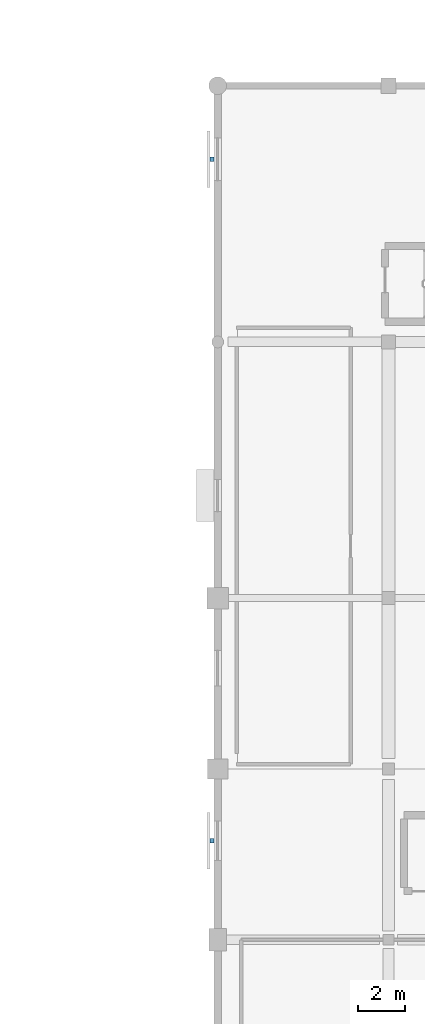
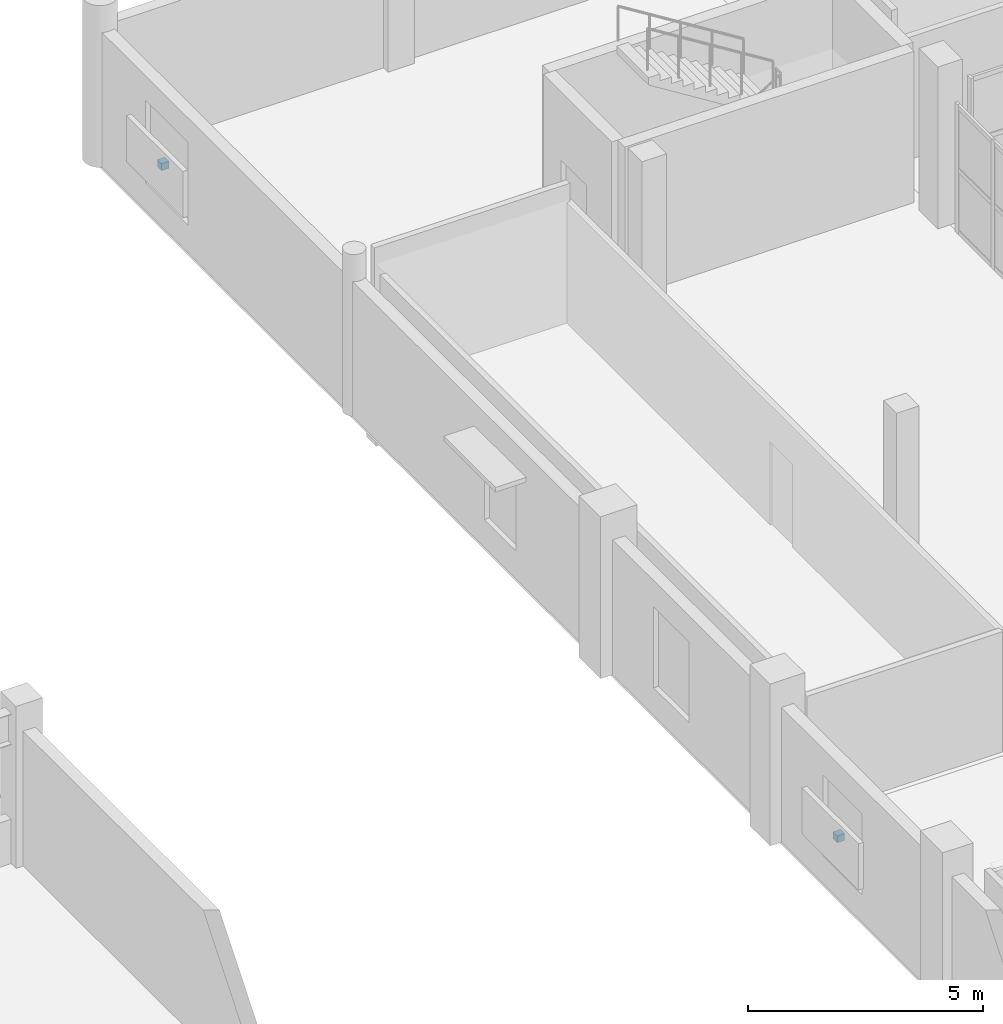
# One storey, part 75 of 92: 2 discrete accessories.
"""IFC4 building model written with IfcOpenShell, lengths in metres."""

from ifc_helpers import new_model, si_unit, direction, frame, origin, origin_2d, place, context, subcontext, project, spatial, rectangle, extrude, material, type_object, element, save


model = new_model("IFC4")

# Units and contexts
model_context = context("Model", 3, precision=1e-05, world=origin(), true_north=direction((0.0, 1.0)))
body_context = subcontext(model_context, "Body", "Model", "MODEL_VIEW")
ifc_project = project(units=[si_unit("LENGTHUNIT", "METRE"), si_unit("AREAUNIT", "SQUARE_METRE"), si_unit("VOLUMEUNIT", "CUBIC_METRE"), si_unit("PLANEANGLEUNIT", "RADIAN"), si_unit("MASSUNIT", "GRAM", prefix="KILO")], contexts=[model_context])

# Site, building, storey
site_placement = place(None, origin())
site = spatial("IfcSite", under=ifc_project, at=site_placement, CompositionType="ELEMENT")
building_placement = place(site_placement, origin())
building = spatial("IfcBuilding", under=site, at=building_placement, Name="Solanera Park Tramway Depot", CompositionType="ELEMENT")
storey_placement = place(building_placement, frame((0.0, 0.0, 4.800048828125)))
storey = spatial("IfcBuildingStorey", under=building, at=storey_placement, Name="L01", CompositionType="ELEMENT", Elevation=4.800048828125)

# Discrete accessories
ifc_material = material(Name="Steel AS/NZS 3679.1 Grade 350", Category="steel")
discrete_accessory_type = type_object("IfcDiscreteAccessoryType", Name="Facade Sunshade Fixing Bracket 180x180", PredefinedType="BRACKET", material=ifc_material)
for number, where, z_axis, x_axis, name in (
    (1, (107.760009765625, 50.89990234375, 1.705078125), (0.0, 0.0, 1.0), (0.0, -1.0, 0.0), "Jalousie Bracket #024"),
    (2, (107.760009765625, 22.175048828125, 1.68017578125), (0.0, 0.0, 1.0), (0.0, -1.0, 0.0), "Jalousie Bracket #026"),
):
    element("IfcDiscreteAccessory", number, at=place(storey_placement, frame(where, z_axis=z_axis, x_axis=x_axis)), inside=storey, type_object=discrete_accessory_type, Name=name, PredefinedType="BRACKET", context=body_context, shape_type="SweptSolid", body=[
        extrude(rectangle(XDim=0.179931640625, YDim=0.179931640625, at=origin_2d()), origin(), (0.0, 0.0, 1.0), 0.179931640625),
    ])

save(model, "model.ifc")
